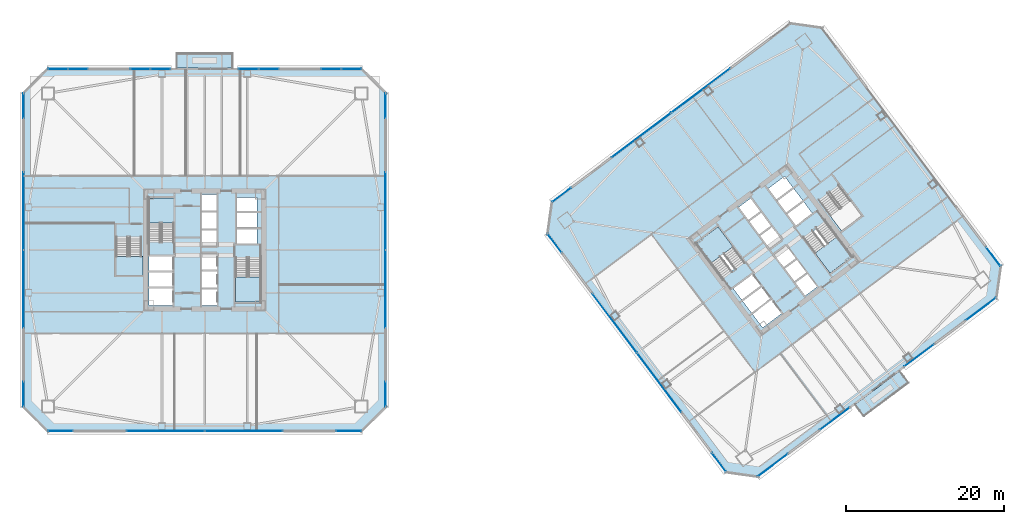
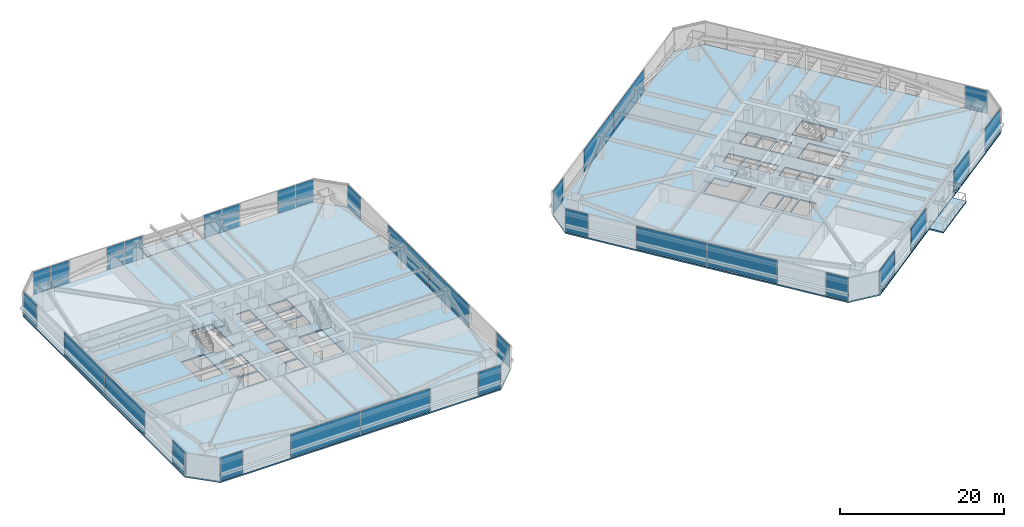
# One storey, part 37 of 51: 32 plates, 9 slabs, 28 elements without a shape of their own.
"""IFC4 building model written with IfcOpenShell, lengths in metres."""

import ifcopenshell
import ifcopenshell.guid

model = None  # the IFC model being written
_history = None  # IfcOwnerHistory: only IFC2X3 demands one
_inside = {}  # id of a spatial element -> (the spatial element, [elements in it])
_under = {}  # id of a project, library or spatial element -> (it, [spatial elements below it])
_declared = {}  # id of a project -> (the project, [libraries it declares])
_typed = {}  # id of a type object -> (the type object, [elements of that type])
_made_of = {}  # id of a material, layer set ... -> (it, [elements and type objects made of it])


def new_model(schema):
    """Start an empty IFC model of exactly this schema.

    Asked for "IFC4X3", IfcOpenShell would pick the latest addendum, in which some entities
    have other attributes; the version numbers below select the first issue.
    IFC2X3 requires an IfcOwnerHistory on every rooted entity: one is made here for all.
    """
    global model, _history
    if schema == "IFC4X3":
        model = ifcopenshell.file(schema_version=(4, 3, 0, 0))
    else:
        model = ifcopenshell.file(schema=schema)
    _inside.clear()
    _under.clear()
    _declared.clear()
    _typed.clear()
    _made_of.clear()
    _history = None
    if model.schema == "IFC2X3":
        org = make("IfcOrganization", Name="unknown")
        user = make(
            "IfcPersonAndOrganization",
            ThePerson=make("IfcPerson", FamilyName="unknown"),
            TheOrganization=org,
        )
        app = make(
            "IfcApplication",
            ApplicationDeveloper=org,
            Version="unknown",
            ApplicationFullName="unknown",
            ApplicationIdentifier="unknown",
        )
        _history = make(
            "IfcOwnerHistory",
            OwningUser=user,
            OwningApplication=app,
            ChangeAction="ADDED",
            CreationDate=0,
        )
    return model


def make(cls, **values):
    """One entity of the class cls with the attributes given. An attribute that is None is left unset."""
    return model.create_entity(
        cls, **{name: value for name, value in values.items() if value is not None}
    )


def rooted(cls, **values):
    """An entity with a GlobalId (a new one), such as an element, a storey or a relation."""
    return make(cls, GlobalId=ifcopenshell.guid.new(), OwnerHistory=_history, **values)


def si_unit(unit_type, name, prefix=None):
    """IfcSIUnit, for example si_unit("LENGTHUNIT", "METRE", prefix="MILLI")."""
    return make("IfcSIUnit", UnitType=unit_type, Prefix=prefix, Name=name)


def assignment(units):
    """IfcUnitAssignment: the units of a project."""
    return None if units is None else make("IfcUnitAssignment", Units=units)


def point(xyz):
    """IfcCartesianPoint."""
    return None if xyz is None else make("IfcCartesianPoint", Coordinates=xyz)


def direction(xyz):
    """IfcDirection."""
    return None if xyz is None else make("IfcDirection", DirectionRatios=xyz)


def frame(location, z_axis=None, x_axis=None):
    """IfcAxis2Placement3D, a coordinate frame: its origin and axes. An axis left out is left unset."""
    return make(
        "IfcAxis2Placement3D",
        Location=point(location),
        Axis=direction(z_axis),
        RefDirection=direction(x_axis),
    )


def frame_2d(location, x_axis=None):
    """IfcAxis2Placement2D, a coordinate frame in the plane: its origin and x axis."""
    return make(
        "IfcAxis2Placement2D", Location=point(location), RefDirection=direction(x_axis)
    )


def origin():
    """The frame at (0, 0, 0) with its axes left unset."""
    return frame((0.0, 0.0, 0.0))


def origin_2d():
    """The frame at (0, 0) in the plane with its x axis left unset."""
    return frame_2d((0.0, 0.0))


def place(relative_to, where):
    """IfcLocalPlacement: puts the frame where relative to a parent placement (None: the world)."""
    return make(
        "IfcLocalPlacement", PlacementRelTo=relative_to, RelativePlacement=where
    )


def context(
    kind, dimensions, precision=None, world=None, true_north=None, identifier=None
):
    """IfcGeometricRepresentationContext, for example the 3D "Model" context."""
    return make(
        "IfcGeometricRepresentationContext",
        ContextIdentifier=identifier,
        ContextType=kind,
        CoordinateSpaceDimension=dimensions,
        Precision=precision,
        WorldCoordinateSystem=world,
        TrueNorth=true_north,
    )


def subcontext(parent, identifier, kind, view, scale=None):
    """IfcGeometricRepresentationSubContext, for example "Body" below "Model"."""
    return make(
        "IfcGeometricRepresentationSubContext",
        ContextIdentifier=identifier,
        ContextType=kind,
        ParentContext=parent,
        TargetScale=scale,
        TargetView=view,
    )


def project(units=None, contexts=None):
    """IfcProject with its units and contexts."""
    return rooted(
        "IfcProject",
        Name="project",
        RepresentationContexts=contexts,
        UnitsInContext=assignment(units),
    )


def spatial(cls, under=None, at=None, **own):
    """A site, building, storey or space (cls), placed at a placement, below another one or the project."""
    s = rooted(cls, ObjectPlacement=at, **own)
    if under is not None:
        _under.setdefault(under.id(), (under, []))[1].append(s)
    return s


def polyline(points):
    """IfcPolyline through the points."""
    return make("IfcPolyline", Points=[point(p) for p in points])


def profile(cls, at=None, kind="AREA", **sizes):
    """A parametric profile (cls). Its sizes go by their IFC names, for example OverallWidth=200.0."""
    return make(cls, ProfileType=kind, Position=at, **sizes)


def rectangle(**sizes):
    """IfcRectangleProfileDef."""
    return profile("IfcRectangleProfileDef", **sizes)


def outline(outer, holes=None, kind="AREA"):
    """IfcArbitraryClosedProfileDef: a profile drawn as a closed curve; with holes, ...WithVoids."""
    if holes is None:
        return make("IfcArbitraryClosedProfileDef", ProfileType=kind, OuterCurve=outer)
    return make(
        "IfcArbitraryProfileDefWithVoids",
        ProfileType=kind,
        OuterCurve=outer,
        InnerCurves=holes,
    )


def extrude(swept, where, along, depth):
    """IfcExtrudedAreaSolid: the profile swept, set in the frame where, extruded along a direction by depth."""
    return make(
        "IfcExtrudedAreaSolid",
        SweptArea=swept,
        Position=where,
        ExtrudedDirection=direction(along),
        Depth=depth,
    )


def shape(context_of_items, identifier, shape_type, items):
    """IfcShapeRepresentation: the items that make up one representation, for example the "Body"."""
    return make(
        "IfcShapeRepresentation",
        ContextOfItems=context_of_items,
        RepresentationIdentifier=identifier,
        RepresentationType=shape_type,
        Items=items,
    )


def material(Name=None, Category=None):
    """IfcMaterial."""
    return make("IfcMaterial", Name=Name, Category=Category)


def layer(
    of_material, thickness, ventilated=None, Name=None, Category=None, Priority=None
):
    """IfcMaterialLayer: one layer of a wall or slab, of a material (None: an air gap)."""
    return make(
        "IfcMaterialLayer",
        Material=of_material,
        LayerThickness=thickness,
        IsVentilated=ventilated,
        Name=Name,
        Category=Category,
        Priority=Priority,
    )


def layer_set(layers, Name=None):
    """IfcMaterialLayerSet."""
    return make("IfcMaterialLayerSet", MaterialLayers=layers, LayerSetName=Name)


def made_of(thing, what):
    """Note that an element or type object is made of a material, layer set ...; save() writes the relation."""
    if what is not None:
        _made_of.setdefault(what.id(), (what, []))[1].append(thing)
    return thing


def type_object(cls, material=None, **own):
    """A type object (cls), such as IfcWallType, which elements share."""
    return made_of(rooted(cls, **own), material)


def element(
    cls,
    number,
    at=None,
    inside=None,
    cuts=None,
    type_object=None,
    material=None,
    context=None,
    identifier="Body",
    shape_type=None,
    held_by="IfcProductDefinitionShape",
    body=None,
    shapes=None,
    **own,
):
    """One element of the class cls, such as IfcWall. Its Tag is "e" and its number.

    at: its placement. inside: the storey or other place that contains it. cuts: it is an
    opening in that element (IfcRelVoidsElement). A single representation is given by context,
    identifier, shape_type and body (its items); several are given by shapes. held_by: the class
    of the entity that holds the representations. save() writes the other relations.
    """
    e = rooted(cls, Tag="e%d" % number, ObjectPlacement=at, **own)
    if body is not None:
        shapes = [shape(context, identifier, shape_type, body)]
    if shapes is not None:
        e.Representation = make(held_by, Representations=shapes)
    if inside is not None:
        _inside.setdefault(inside.id(), (inside, []))[1].append(e)
    if cuts is not None:
        rooted(
            "IfcRelVoidsElement", RelatingBuildingElement=cuts, RelatedOpeningElement=e
        )
    if type_object is not None:
        _typed.setdefault(type_object.id(), (type_object, []))[1].append(e)
    return made_of(e, material)


def aggregate(whole, parts):
    """IfcRelAggregates: a whole, such as a stair, and the parts it consists of."""
    return rooted("IfcRelAggregates", RelatingObject=whole, RelatedObjects=parts)


def save(model, path):
    """Write the relations noted so far, then the file.

    IfcRelAggregates (storeys below a building ...), IfcRelContainedInSpatialStructure (elements
    in a storey), IfcRelDefinesByType, IfcRelAssociatesMaterial and IfcRelDeclares: one each for
    every whole, place, type object, material and project.
    """
    for whole, parts in _under.values():
        aggregate(whole, parts)
    for where, things in _inside.values():
        rooted(
            "IfcRelContainedInSpatialStructure",
            RelatedElements=things,
            RelatingStructure=where,
        )
    for kind, things in _typed.values():
        rooted("IfcRelDefinesByType", RelatedObjects=things, RelatingType=kind)
    for what, things in _made_of.values():
        rooted("IfcRelAssociatesMaterial", RelatedObjects=things, RelatingMaterial=what)
    for by, libraries in _declared.values():
        rooted("IfcRelDeclares", RelatingContext=by, RelatedDefinitions=libraries)
    model.write(path)


model = new_model("IFC4")

# Units and contexts
model_context = context("Model", 3, precision=1e-05, world=origin(), true_north=direction((0.0, 1.0)))
body_context = subcontext(model_context, "Body", "Model", "MODEL_VIEW")
ifc_project = project(units=[si_unit("LENGTHUNIT", "METRE"), si_unit("AREAUNIT", "SQUARE_METRE"), si_unit("VOLUMEUNIT", "CUBIC_METRE"), si_unit("PLANEANGLEUNIT", "RADIAN"), si_unit("MASSUNIT", "GRAM", prefix="KILO")], contexts=[model_context])

# Site, building, storey
site_placement = place(None, origin())
site = spatial("IfcSite", under=ifc_project, at=site_placement, CompositionType="ELEMENT")
building_placement = place(site_placement, origin())
building = spatial("IfcBuilding", under=site, at=building_placement, Name="Tashvorn Skyway Center", CompositionType="ELEMENT")
storey_placement = place(building_placement, frame((0.0, 0.0, 49.449951171875)))
storey = spatial("IfcBuildingStorey", under=building, at=storey_placement, Name="L12", CompositionType="ELEMENT", Elevation=49.449951171875)

# Curtain wall, plate
ifc_material_1 = material(Name="Thermally broken bronze-anodized aluminium 6063-T6", Category="aluminium")
curtain_wall_type = type_object("IfcCurtainWallType", Name="CW-CW-Z1", PredefinedType="NOTDEFINED", material=ifc_material_1)
curtain_wall_1_placement = place(storey_placement, origin())
curtain_wall_1 = element("IfcCurtainWall", 1, at=curtain_wall_1_placement, inside=storey, type_object=curtain_wall_type, Name="Tower 1 L12 South Unitised Curtain Wall Glazing Group 1", PredefinedType="NOTDEFINED")
ifc_material_2 = material(Name="Low-E solar-control double insulating safety glass", Category="glass")
ifc_layer_1 = layer(ifc_material_2, 0.048095703125)
ifc_layer_set_1 = layer_set([ifc_layer_1], Name="Low-E solar-control double insulating safety glass")
plate_type = type_object("IfcPlateType", Name="CWP-CW-Z1", PredefinedType="CURTAIN_PANEL", material=ifc_layer_set_1)
plate_1_placement = place(storey_placement, frame((60.223388671875, 9.1201171875, 0.085205078125), z_axis=(0.0, 0.0, 1.0), x_axis=(-1.0, 0.0, 0.0)))
plate_1 = element("IfcPlate", 2, at=plate_1_placement, type_object=plate_type, Name="CW-Z1 panel 1.1", PredefinedType="CURTAIN_PANEL", context=body_context, shape_type="SweptSolid", body=[
    extrude(rectangle(XDim=3.143310546875, YDim=0.048095703125, at=origin_2d()), origin(), (0.0, 0.0, 1.0), 3.3798828125),
])
aggregate(curtain_wall_1, [plate_1])

# Curtain wall, plates
curtain_wall_2_placement = place(storey_placement, origin())
curtain_wall_2 = element("IfcCurtainWall", 3, at=curtain_wall_2_placement, inside=storey, type_object=curtain_wall_type, Name="Tower 1 L12 South Unitised Curtain Wall Glazing Group 2", PredefinedType="NOTDEFINED")
plate_2_placement = place(storey_placement, frame((46.94873046875, 9.1201171875, 0.085205078125), z_axis=(0.0, 0.0, 1.0), x_axis=(-1.0, 0.0, 0.0)))
plate_2 = element("IfcPlate", 4, at=plate_2_placement, type_object=plate_type, Name="CW-Z1 panel 1.1", PredefinedType="CURTAIN_PANEL", context=body_context, shape_type="SweptSolid", body=[
    extrude(rectangle(XDim=9.8125, YDim=0.048095703125, at=origin_2d()), origin(), (0.0, 0.0, 1.0), 3.3798828125),
])
plate_3_placement = place(storey_placement, frame((37.05126953125, 9.1201171875, 0.085205078125), z_axis=(0.0, 0.0, 1.0), x_axis=(-1.0, 0.0, 0.0)))
plate_3 = element("IfcPlate", 5, at=plate_3_placement, type_object=plate_type, Name="CW-Z1 panel 2.1", PredefinedType="CURTAIN_PANEL", context=body_context, shape_type="SweptSolid", body=[
    extrude(rectangle(XDim=9.8125, YDim=0.048095703125, at=origin_2d()), origin(), (0.0, 0.0, 1.0), 3.3798828125),
])
aggregate(curtain_wall_2, [plate_2, plate_3])

# Curtain wall, plate
curtain_wall_3_placement = place(storey_placement, origin())
curtain_wall_3 = element("IfcCurtainWall", 6, at=curtain_wall_3_placement, inside=storey, type_object=curtain_wall_type, Name="Tower 1 L12 South Unitised Curtain Wall Glazing Group 3", PredefinedType="NOTDEFINED")
plate_4_placement = place(storey_placement, frame((23.776611328125, 9.1201171875, 0.085205078125), z_axis=(0.0, 0.0, 1.0), x_axis=(-1.0, 0.0, 0.0)))
plate_4 = element("IfcPlate", 7, at=plate_4_placement, type_object=plate_type, Name="CW-Z1 panel 1.1", PredefinedType="CURTAIN_PANEL", context=body_context, shape_type="SweptSolid", body=[
    extrude(rectangle(XDim=3.143310546875, YDim=0.048095703125, at=origin_2d()), origin(), (0.0, 0.0, 1.0), 3.3798828125),
])
aggregate(curtain_wall_3, [plate_4])

curtain_wall_4_placement = place(storey_placement, origin())
curtain_wall_4 = element("IfcCurtainWall", 8, at=curtain_wall_4_placement, inside=storey, type_object=curtain_wall_type, Name="Tower 1 L12 West Unitised Curtain Wall Glazing Group 1", PredefinedType="NOTDEFINED")
plate_5_placement = place(storey_placement, frame((19.1201171875, 13.776611328125, 0.085205078125), z_axis=(0.0, 0.0, 1.0), x_axis=(0.0, 1.0, 0.0)))
plate_5 = element("IfcPlate", 9, at=plate_5_placement, type_object=plate_type, Name="CW-Z1 panel 1.1", PredefinedType="CURTAIN_PANEL", context=body_context, shape_type="SweptSolid", body=[
    extrude(rectangle(XDim=3.143310546875, YDim=0.048095703125, at=origin_2d()), origin(), (0.0, 0.0, 1.0), 3.3798828125),
])
aggregate(curtain_wall_4, [plate_5])

# Curtain wall, plates
curtain_wall_5_placement = place(storey_placement, origin())
curtain_wall_5 = element("IfcCurtainWall", 10, at=curtain_wall_5_placement, inside=storey, type_object=curtain_wall_type, Name="Tower 1 L12 West Unitised Curtain Wall Glazing Group 2", PredefinedType="NOTDEFINED")
plate_6_placement = place(storey_placement, frame((19.1201171875, 27.05126953125, 0.085205078125), z_axis=(0.0, 0.0, 1.0), x_axis=(0.0, 1.0, 0.0)))
plate_6 = element("IfcPlate", 11, at=plate_6_placement, type_object=plate_type, Name="CW-Z1 panel 1.1", PredefinedType="CURTAIN_PANEL", context=body_context, shape_type="SweptSolid", body=[
    extrude(rectangle(XDim=9.8125, YDim=0.048095703125, at=origin_2d()), origin(), (0.0, 0.0, 1.0), 3.3798828125),
])
plate_7_placement = place(storey_placement, frame((19.1201171875, 36.94873046875, 0.085205078125), z_axis=(0.0, 0.0, 1.0), x_axis=(0.0, 1.0, 0.0)))
plate_7 = element("IfcPlate", 12, at=plate_7_placement, type_object=plate_type, Name="CW-Z1 panel 2.1", PredefinedType="CURTAIN_PANEL", context=body_context, shape_type="SweptSolid", body=[
    extrude(rectangle(XDim=9.8125, YDim=0.048095703125, at=origin_2d()), origin(), (0.0, 0.0, 1.0), 3.3798828125),
])
aggregate(curtain_wall_5, [plate_6, plate_7])

# Curtain wall, plate
curtain_wall_6_placement = place(storey_placement, origin())
curtain_wall_6 = element("IfcCurtainWall", 13, at=curtain_wall_6_placement, inside=storey, type_object=curtain_wall_type, Name="Tower 1 L12 West Unitised Curtain Wall Glazing Group 3", PredefinedType="NOTDEFINED")
plate_8_placement = place(storey_placement, frame((19.1201171875, 50.223388671875, 0.085205078125), z_axis=(0.0, 0.0, 1.0), x_axis=(0.0, 1.0, 0.0)))
plate_8 = element("IfcPlate", 14, at=plate_8_placement, type_object=plate_type, Name="CW-Z1 panel 1.1", PredefinedType="CURTAIN_PANEL", context=body_context, shape_type="SweptSolid", body=[
    extrude(rectangle(XDim=3.143310546875, YDim=0.048095703125, at=origin_2d()), origin(), (0.0, 0.0, 1.0), 3.3798828125),
])
aggregate(curtain_wall_6, [plate_8])

# Curtain wall, plates
curtain_wall_7_placement = place(storey_placement, origin())
curtain_wall_7 = element("IfcCurtainWall", 15, at=curtain_wall_7_placement, inside=storey, type_object=curtain_wall_type, Name="Tower 1 L12 North Curtain Wall L Glazing Group 1", PredefinedType="NOTDEFINED")
plate_9_placement = place(storey_placement, frame((23.44384765625, 54.8798828125, 0.085205078125), z_axis=(0.0, 0.0, 1.0), x_axis=(1.0, 0.0, 0.0)))
plate_9 = element("IfcPlate", 16, at=plate_9_placement, type_object=plate_type, Name="CW-Z1 panel 1.1", PredefinedType="CURTAIN_PANEL", context=body_context, shape_type="SweptSolid", body=[
    extrude(rectangle(XDim=2.4775390625, YDim=0.048095703125, at=origin_2d()), origin(), (0.0, 0.0, 1.0), 3.3798828125),
])
plate_10_placement = place(storey_placement, frame((26.00634765625, 54.8798828125, 0.085205078125), z_axis=(0.0, 0.0, 1.0), x_axis=(1.0, 0.0, 0.0)))
plate_10 = element("IfcPlate", 17, at=plate_10_placement, type_object=plate_type, Name="CW-Z1 panel 2.1", PredefinedType="CURTAIN_PANEL", context=body_context, shape_type="SweptSolid", body=[
    extrude(rectangle(XDim=2.4775390625, YDim=0.048095703125, at=origin_2d()), origin(), (0.0, 0.0, 1.0), 3.3798828125),
])
aggregate(curtain_wall_7, [plate_9, plate_10])

curtain_wall_8_placement = place(storey_placement, origin())
curtain_wall_8 = element("IfcCurtainWall", 18, at=curtain_wall_8_placement, inside=storey, type_object=curtain_wall_type, Name="Tower 1 L12 North Curtain Wall L Glazing Group 2", PredefinedType="NOTDEFINED")
plate_11_placement = place(storey_placement, frame((33.86376953125, 54.8798828125, 0.085205078125), z_axis=(0.0, 0.0, 1.0), x_axis=(1.0, 0.0, 0.0)))
plate_11 = element("IfcPlate", 19, at=plate_11_placement, type_object=plate_type, Name="CW-Z1 panel 1.1", PredefinedType="CURTAIN_PANEL", context=body_context, shape_type="SweptSolid", body=[
    extrude(rectangle(XDim=2.4775390625, YDim=0.048095703125, at=origin_2d()), origin(), (0.0, 0.0, 1.0), 3.3798828125),
])
plate_12_placement = place(storey_placement, frame((36.42626953125, 54.8798828125, 0.085205078125), z_axis=(0.0, 0.0, 1.0), x_axis=(1.0, 0.0, 0.0)))
plate_12 = element("IfcPlate", 20, at=plate_12_placement, type_object=plate_type, Name="CW-Z1 panel 2.1", PredefinedType="CURTAIN_PANEL", context=body_context, shape_type="SweptSolid", body=[
    extrude(rectangle(XDim=2.4775390625, YDim=0.048095703125, at=origin_2d()), origin(), (0.0, 0.0, 1.0), 3.3798828125),
])
aggregate(curtain_wall_8, [plate_11, plate_12])

curtain_wall_9_placement = place(storey_placement, origin())
curtain_wall_9 = element("IfcCurtainWall", 21, at=curtain_wall_9_placement, inside=storey, type_object=curtain_wall_type, Name="Tower 1 L12 North Curtain Wall R Glazing Group 1", PredefinedType="NOTDEFINED")
plate_13_placement = place(storey_placement, frame((47.57373046875, 54.8798828125, 0.085205078125), z_axis=(0.0, 0.0, 1.0), x_axis=(1.0, 0.0, 0.0)))
plate_13 = element("IfcPlate", 22, at=plate_13_placement, type_object=plate_type, Name="CW-Z1 panel 1.1", PredefinedType="CURTAIN_PANEL", context=body_context, shape_type="SweptSolid", body=[
    extrude(rectangle(XDim=2.4775390625, YDim=0.048095703125, at=origin_2d()), origin(), (0.0, 0.0, 1.0), 3.3798828125),
])
plate_14_placement = place(storey_placement, frame((50.13623046875, 54.8798828125, 0.085205078125), z_axis=(0.0, 0.0, 1.0), x_axis=(1.0, 0.0, 0.0)))
plate_14 = element("IfcPlate", 23, at=plate_14_placement, type_object=plate_type, Name="CW-Z1 panel 2.1", PredefinedType="CURTAIN_PANEL", context=body_context, shape_type="SweptSolid", body=[
    extrude(rectangle(XDim=2.4775390625, YDim=0.048095703125, at=origin_2d()), origin(), (0.0, 0.0, 1.0), 3.3798828125),
])
aggregate(curtain_wall_9, [plate_13, plate_14])

curtain_wall_10_placement = place(storey_placement, origin())
curtain_wall_10 = element("IfcCurtainWall", 24, at=curtain_wall_10_placement, inside=storey, type_object=curtain_wall_type, Name="Tower 1 L12 North Curtain Wall R Glazing Group 2", PredefinedType="NOTDEFINED")
plate_15_placement = place(storey_placement, frame((57.99365234375, 54.8798828125, 0.085205078125), z_axis=(0.0, 0.0, 1.0), x_axis=(1.0, 0.0, 0.0)))
plate_15 = element("IfcPlate", 25, at=plate_15_placement, type_object=plate_type, Name="CW-Z1 panel 1.1", PredefinedType="CURTAIN_PANEL", context=body_context, shape_type="SweptSolid", body=[
    extrude(rectangle(XDim=2.4775390625, YDim=0.048095703125, at=origin_2d()), origin(), (0.0, 0.0, 1.0), 3.3798828125),
])
plate_16_placement = place(storey_placement, frame((60.55615234375, 54.8798828125, 0.085205078125), z_axis=(0.0, 0.0, 1.0), x_axis=(1.0, 0.0, 0.0)))
plate_16 = element("IfcPlate", 26, at=plate_16_placement, type_object=plate_type, Name="CW-Z1 panel 2.1", PredefinedType="CURTAIN_PANEL", context=body_context, shape_type="SweptSolid", body=[
    extrude(rectangle(XDim=2.4775390625, YDim=0.048095703125, at=origin_2d()), origin(), (0.0, 0.0, 1.0), 3.3798828125),
])
aggregate(curtain_wall_10, [plate_15, plate_16])

# Curtain wall, plate
curtain_wall_11_placement = place(storey_placement, origin())
curtain_wall_11 = element("IfcCurtainWall", 27, at=curtain_wall_11_placement, inside=storey, type_object=curtain_wall_type, Name="Tower 1 L12 East Unitised Curtain Wall Glazing Group 1", PredefinedType="NOTDEFINED")
plate_17_placement = place(storey_placement, frame((64.8798828125, 50.223388671875, 0.085205078125), z_axis=(0.0, 0.0, 1.0), x_axis=(0.0, -1.0, 0.0)))
plate_17 = element("IfcPlate", 28, at=plate_17_placement, type_object=plate_type, Name="CW-Z1 panel 1.1", PredefinedType="CURTAIN_PANEL", context=body_context, shape_type="SweptSolid", body=[
    extrude(rectangle(XDim=3.143310546875, YDim=0.048095703125, at=origin_2d()), origin(), (0.0, 0.0, 1.0), 3.3798828125),
])
aggregate(curtain_wall_11, [plate_17])

# Curtain wall, plates
curtain_wall_12_placement = place(storey_placement, origin())
curtain_wall_12 = element("IfcCurtainWall", 29, at=curtain_wall_12_placement, inside=storey, type_object=curtain_wall_type, Name="Tower 1 L12 East Unitised Curtain Wall Glazing Group 2", PredefinedType="NOTDEFINED")
plate_18_placement = place(storey_placement, frame((64.8798828125, 36.94873046875, 0.085205078125), z_axis=(0.0, 0.0, 1.0), x_axis=(0.0, -1.0, 0.0)))
plate_18 = element("IfcPlate", 30, at=plate_18_placement, type_object=plate_type, Name="CW-Z1 panel 1.1", PredefinedType="CURTAIN_PANEL", context=body_context, shape_type="SweptSolid", body=[
    extrude(rectangle(XDim=9.8125, YDim=0.048095703125, at=origin_2d()), origin(), (0.0, 0.0, 1.0), 3.3798828125),
])
plate_19_placement = place(storey_placement, frame((64.8798828125, 27.05126953125, 0.085205078125), z_axis=(0.0, 0.0, 1.0), x_axis=(0.0, -1.0, 0.0)))
plate_19 = element("IfcPlate", 31, at=plate_19_placement, type_object=plate_type, Name="CW-Z1 panel 2.1", PredefinedType="CURTAIN_PANEL", context=body_context, shape_type="SweptSolid", body=[
    extrude(rectangle(XDim=9.8125, YDim=0.048095703125, at=origin_2d()), origin(), (0.0, 0.0, 1.0), 3.3798828125),
])
aggregate(curtain_wall_12, [plate_18, plate_19])

# Curtain wall, plate
curtain_wall_13_placement = place(storey_placement, origin())
curtain_wall_13 = element("IfcCurtainWall", 32, at=curtain_wall_13_placement, inside=storey, type_object=curtain_wall_type, Name="Tower 1 L12 East Unitised Curtain Wall Glazing Group 3", PredefinedType="NOTDEFINED")
plate_20_placement = place(storey_placement, frame((64.8798828125, 13.776611328125, 0.085205078125), z_axis=(0.0, 0.0, 1.0), x_axis=(0.0, -1.0, 0.0)))
plate_20 = element("IfcPlate", 33, at=plate_20_placement, type_object=plate_type, Name="CW-Z1 panel 1.1", PredefinedType="CURTAIN_PANEL", context=body_context, shape_type="SweptSolid", body=[
    extrude(rectangle(XDim=3.143310546875, YDim=0.048095703125, at=origin_2d()), origin(), (0.0, 0.0, 1.0), 3.3798828125),
])
aggregate(curtain_wall_13, [plate_20])

curtain_wall_14_placement = place(storey_placement, origin())
curtain_wall_14 = element("IfcCurtainWall", 34, at=curtain_wall_14_placement, inside=storey, type_object=curtain_wall_type, Name="Tower 2 L12 South Curtain Wall L Glazing Group 1", PredefinedType="NOTDEFINED")
plate_21_placement = place(storey_placement, frame((140.161376953125, 24.52099609375, 0.085205078125), z_axis=(0.0, 0.0, 1.0), x_axis=(-0.799997539287, -0.600003280937, 0.0)))
plate_21 = element("IfcPlate", 35, at=plate_21_placement, type_object=plate_type, Name="CW-Z1 panel 1.1", PredefinedType="CURTAIN_PANEL", context=body_context, shape_type="SweptSolid", body=[
    extrude(rectangle(XDim=4.70654296875, YDim=0.048095703125, at=origin_2d()), origin(), (0.0, 0.0, 1.0), 3.3798828125),
])
aggregate(curtain_wall_14, [plate_21])

curtain_wall_15_placement = place(storey_placement, origin())
curtain_wall_15 = element("IfcCurtainWall", 36, at=curtain_wall_15_placement, inside=storey, type_object=curtain_wall_type, Name="Tower 2 L12 South Curtain Wall L Glazing Group 2", PredefinedType="NOTDEFINED")
plate_22_placement = place(storey_placement, frame((132.358642578125, 18.6689453125, 0.085205078125), z_axis=(0.0, 0.0, 1.0), x_axis=(-0.799997539287, -0.600003280937, 0.0)))
plate_22 = element("IfcPlate", 37, at=plate_22_placement, type_object=plate_type, Name="CW-Z1 panel 1.1", PredefinedType="CURTAIN_PANEL", context=body_context, shape_type="SweptSolid", body=[
    extrude(rectangle(XDim=4.70654296875, YDim=0.048095703125, at=origin_2d()), origin(), (0.0, 0.0, 1.0), 3.3798828125),
])
aggregate(curtain_wall_15, [plate_22])

curtain_wall_16_placement = place(storey_placement, origin())
curtain_wall_16 = element("IfcCurtainWall", 38, at=curtain_wall_16_placement, inside=storey, type_object=curtain_wall_type, Name="Tower 2 L12 South Curtain Wall R Glazing Group 1", PredefinedType="NOTDEFINED")
plate_23_placement = place(storey_placement, frame((121.657470703125, 10.64306640625, 0.085205078125), z_axis=(0.0, 0.0, 1.0), x_axis=(-0.799997539287, -0.600003280937, 0.0)))
plate_23 = element("IfcPlate", 39, at=plate_23_placement, type_object=plate_type, Name="CW-Z1 panel 1.1", PredefinedType="CURTAIN_PANEL", context=body_context, shape_type="SweptSolid", body=[
    extrude(rectangle(XDim=4.70654296875, YDim=0.048095703125, at=origin_2d()), origin(), (0.0, 0.0, 1.0), 3.3798828125),
])
aggregate(curtain_wall_16, [plate_23])

curtain_wall_17_placement = place(storey_placement, origin())
curtain_wall_17 = element("IfcCurtainWall", 40, at=curtain_wall_17_placement, inside=storey, type_object=curtain_wall_type, Name="Tower 2 L12 South Curtain Wall R Glazing Group 2", PredefinedType="NOTDEFINED")
plate_24_placement = place(storey_placement, frame((113.854736328125, 4.791015625, 0.085205078125), z_axis=(0.0, 0.0, 1.0), x_axis=(-0.799997539287, -0.600003280937, 0.0)))
plate_24 = element("IfcPlate", 41, at=plate_24_placement, type_object=plate_type, Name="CW-Z1 panel 1.1", PredefinedType="CURTAIN_PANEL", context=body_context, shape_type="SweptSolid", body=[
    extrude(rectangle(XDim=4.70654296875, YDim=0.048095703125, at=origin_2d()), origin(), (0.0, 0.0, 1.0), 3.3798828125),
])
aggregate(curtain_wall_17, [plate_24])

curtain_wall_18_placement = place(storey_placement, origin())
curtain_wall_18 = element("IfcCurtainWall", 42, at=curtain_wall_18_placement, inside=storey, type_object=curtain_wall_type, Name="Tower 2 L12 West Unitised Curtain Wall Glazing Group 1", PredefinedType="NOTDEFINED")
plate_25_placement = place(storey_placement, frame((107.0400390625, 5.146728515625, 0.085205078125), z_axis=(0.0, 0.0, 1.0), x_axis=(-0.600005084776, 0.799996186392, 0.0)))
plate_25 = element("IfcPlate", 43, at=plate_25_placement, type_object=plate_type, Name="CW-Z1 panel 1.1", PredefinedType="CURTAIN_PANEL", context=body_context, shape_type="SweptSolid", body=[
    extrude(rectangle(XDim=2.9765625, YDim=0.048095703125, at=origin_2d()), origin(), (0.0, 0.0, 1.0), 3.3798828125),
])
aggregate(curtain_wall_18, [plate_25])

# Curtain wall, plates
curtain_wall_19_placement = place(storey_placement, origin())
curtain_wall_19 = element("IfcCurtainWall", 44, at=curtain_wall_19_placement, inside=storey, type_object=curtain_wall_type, Name="Tower 2 L12 West Unitised Curtain Wall Glazing Group 2", PredefinedType="NOTDEFINED")
plate_26_placement = place(storey_placement, frame((99.475341796875, 15.23291015625, 0.085205078125), z_axis=(0.0, 0.0, 1.0), x_axis=(-0.600000000002, 0.799999999998, 0.0)))
plate_26 = element("IfcPlate", 45, at=plate_26_placement, type_object=plate_type, Name="CW-Z1 panel 1.1", PredefinedType="CURTAIN_PANEL", context=body_context, shape_type="SweptSolid", body=[
    extrude(rectangle(XDim=9.3125, YDim=0.048095703125, at=origin_2d()), origin(), (0.0, 0.0, 1.0), 3.3798828125),
])
plate_27_placement = place(storey_placement, frame((93.836669921875, 22.7509765625, 0.085205078125), z_axis=(0.0, 0.0, 1.0), x_axis=(-0.600000000002, 0.799999999998, 0.0)))
plate_27 = element("IfcPlate", 46, at=plate_27_placement, type_object=plate_type, Name="CW-Z1 panel 2.1", PredefinedType="CURTAIN_PANEL", context=body_context, shape_type="SweptSolid", body=[
    extrude(rectangle(XDim=9.3125, YDim=0.048095703125, at=origin_2d()), origin(), (0.0, 0.0, 1.0), 3.3798828125),
])
aggregate(curtain_wall_19, [plate_26, plate_27])

# Curtain wall, plate
curtain_wall_20_placement = place(storey_placement, origin())
curtain_wall_20 = element("IfcCurtainWall", 47, at=curtain_wall_20_placement, inside=storey, type_object=curtain_wall_type, Name="Tower 2 L12 West Unitised Curtain Wall Glazing Group 3", PredefinedType="NOTDEFINED")
plate_28_placement = place(storey_placement, frame((86.27197265625, 32.83740234375, 0.085205078125), z_axis=(0.0, 0.0, 1.0), x_axis=(-0.600005084776, 0.799996186392, 0.0)))
plate_28 = element("IfcPlate", 48, at=plate_28_placement, type_object=plate_type, Name="CW-Z1 panel 1.1", PredefinedType="CURTAIN_PANEL", context=body_context, shape_type="SweptSolid", body=[
    extrude(rectangle(XDim=2.9765625, YDim=0.048095703125, at=origin_2d()), origin(), (0.0, 0.0, 1.0), 3.3798828125),
])
aggregate(curtain_wall_20, [plate_28])

curtain_wall_21_placement = place(storey_placement, origin())
curtain_wall_21 = element("IfcCurtainWall", 49, at=curtain_wall_21_placement, inside=storey, type_object=curtain_wall_type, Name="Tower 2 L12 North Unitised Curtain Wall Glazing Group 1", PredefinedType="NOTDEFINED")
plate_29_placement = place(storey_placement, frame((87.146728515625, 38.9599609375, 0.085205078125), z_axis=(0.0, 0.0, 1.0), x_axis=(0.799996186392, 0.600005084776, 0.0)))
plate_29 = element("IfcPlate", 50, at=plate_29_placement, type_object=plate_type, Name="CW-Z1 panel 1.1", PredefinedType="CURTAIN_PANEL", context=body_context, shape_type="SweptSolid", body=[
    extrude(rectangle(XDim=2.9765625, YDim=0.048095703125, at=origin_2d()), origin(), (0.0, 0.0, 1.0), 3.3798828125),
])
aggregate(curtain_wall_21, [plate_29])

# Curtain wall, plates
curtain_wall_22_placement = place(storey_placement, origin())
curtain_wall_22 = element("IfcCurtainWall", 51, at=curtain_wall_22_placement, inside=storey, type_object=curtain_wall_type, Name="Tower 2 L12 North Unitised Curtain Wall Glazing Group 2", PredefinedType="NOTDEFINED")
plate_30_placement = place(storey_placement, frame((97.23291015625, 46.524658203125, 0.085205078125), z_axis=(0.0, 0.0, 1.0), x_axis=(0.799999999998, 0.600000000002, 0.0)))
plate_30 = element("IfcPlate", 52, at=plate_30_placement, type_object=plate_type, Name="CW-Z1 panel 1.1", PredefinedType="CURTAIN_PANEL", context=body_context, shape_type="SweptSolid", body=[
    extrude(rectangle(XDim=9.3125, YDim=0.048095703125, at=origin_2d()), origin(), (0.0, 0.0, 1.0), 3.3798828125),
])
plate_31_placement = place(storey_placement, frame((104.7509765625, 52.163330078125, 0.085205078125), z_axis=(0.0, 0.0, 1.0), x_axis=(0.799999999998, 0.600000000002, 0.0)))
plate_31 = element("IfcPlate", 53, at=plate_31_placement, type_object=plate_type, Name="CW-Z1 panel 2.1", PredefinedType="CURTAIN_PANEL", context=body_context, shape_type="SweptSolid", body=[
    extrude(rectangle(XDim=9.3125, YDim=0.048095703125, at=origin_2d()), origin(), (0.0, 0.0, 1.0), 3.3798828125),
])
aggregate(curtain_wall_22, [plate_30, plate_31])

# Curtain wall, plate
curtain_wall_23_placement = place(storey_placement, origin())
curtain_wall_23 = element("IfcCurtainWall", 54, at=curtain_wall_23_placement, inside=storey, type_object=curtain_wall_type, Name="Tower 2 L12 East Unitised Curtain Wall Glazing Group 3", PredefinedType="NOTDEFINED")
plate_32_placement = place(storey_placement, frame((141.72802734375, 31.16259765625, 0.085205078125), z_axis=(0.0, 0.0, 1.0), x_axis=(0.600005084776, -0.799996186392, 0.0)))
plate_32 = element("IfcPlate", 55, at=plate_32_placement, type_object=plate_type, Name="CW-Z1 panel 1.1", PredefinedType="CURTAIN_PANEL", context=body_context, shape_type="SweptSolid", body=[
    extrude(rectangle(XDim=2.9765625, YDim=0.048095703125, at=origin_2d()), origin(), (0.0, 0.0, 1.0), 3.3798828125),
])
aggregate(curtain_wall_23, [plate_32])

# Slabs
ifc_material_3 = material(Name="Concrete C40/50", Category="concrete")
ifc_layer_2 = layer(ifc_material_3, 0.199951171875)
ifc_layer_set_2 = layer_set([ifc_layer_2], Name="Concrete C40/50")
slab_type_1 = type_object("IfcSlabType", Name="SLAB-FLR-200", PredefinedType="FLOOR", material=ifc_layer_set_2)
slab_1_placement = place(storey_placement, frame((0.0, 0.0, -0.199951171875)))
element("IfcSlab", 56, at=slab_1_placement, inside=storey, type_object=slab_type_1, Name="Tower 1 L12 Composite Floor Slab", PredefinedType="FLOOR", context=body_context, shape_type="SweptSolid", body=[
    extrude(outline(polyline([(22.199951171875, 9.0), (61.800048828125, 9.0), (65.0, 12.199951171875), (65.0, 51.800048828125), (61.800048828125, 55.0), (22.199951171875, 55.0), (19.0, 51.800048828125), (19.0, 12.199951171875), (22.199951171875, 9.0)]), holes=[polyline([(38.10009765625, 33.080078125), (38.10009765625, 38.60009765625), (34.89990234375, 38.60009765625), (34.89990234375, 33.080078125), (38.10009765625, 33.080078125)]), polyline([(45.89990234375, 30.919921875), (45.89990234375, 25.39990234375), (49.10009765625, 25.39990234375), (49.10009765625, 30.919921875), (45.89990234375, 30.919921875)]), polyline([(30.800048828125, 33.52001953125), (30.800048828125, 28.800048828125), (34.0, 28.800048828125), (34.0, 33.52001953125), (30.800048828125, 33.52001953125)]), polyline([(34.949951171875, 29.35009765625), (37.949951171875, 29.35009765625), (37.949951171875, 31.199951171875), (34.949951171875, 31.199951171875), (34.949951171875, 29.35009765625)]), polyline([(34.949951171875, 27.35009765625), (37.949951171875, 27.35009765625), (37.949951171875, 29.199951171875), (34.949951171875, 29.199951171875), (34.949951171875, 27.35009765625)]), polyline([(34.949951171875, 25.0), (37.949951171875, 25.0), (37.949951171875, 27.14990234375), (34.949951171875, 27.14990234375), (34.949951171875, 25.0)]), polyline([(41.64990234375, 25.0), (43.550048828125, 25.0), (43.550048828125, 27.050048828125), (41.64990234375, 27.050048828125), (41.64990234375, 25.0)]), polyline([(41.64990234375, 27.25), (43.550048828125, 27.25), (43.550048828125, 29.300048828125), (41.64990234375, 29.300048828125), (41.64990234375, 27.25)]), polyline([(41.64990234375, 29.5), (43.550048828125, 29.5), (43.550048828125, 31.550048828125), (41.64990234375, 31.550048828125), (41.64990234375, 29.5)]), polyline([(41.64990234375, 32.449951171875), (43.550048828125, 32.449951171875), (43.550048828125, 34.5), (41.64990234375, 34.5), (41.64990234375, 32.449951171875)]), polyline([(41.64990234375, 34.699951171875), (43.550048828125, 34.699951171875), (43.550048828125, 36.75), (41.64990234375, 36.75), (41.64990234375, 34.699951171875)]), polyline([(41.64990234375, 36.949951171875), (43.550048828125, 36.949951171875), (43.550048828125, 39.0), (41.64990234375, 39.0), (41.64990234375, 36.949951171875)]), polyline([(46.050048828125, 32.800048828125), (48.64990234375, 32.800048828125), (48.64990234375, 34.64990234375), (46.050048828125, 34.64990234375), (46.050048828125, 32.800048828125)]), polyline([(46.050048828125, 34.85009765625), (48.64990234375, 34.85009765625), (48.64990234375, 36.699951171875), (46.050048828125, 36.699951171875), (46.050048828125, 34.85009765625)]), polyline([(46.050048828125, 36.89990234375), (48.64990234375, 36.89990234375), (48.64990234375, 38.64990234375), (46.050048828125, 38.64990234375), (46.050048828125, 36.89990234375)])]), origin(), (0.0, 0.0, 1.0), 0.199951171875),
])
slab_2_placement = place(storey_placement, frame((0.0, 0.0, -0.199951171875)))
element("IfcSlab", 57, at=slab_2_placement, inside=storey, type_object=slab_type_1, Name="Tower 2 L12 Composite Floor Slab", PredefinedType="FLOOR", context=body_context, shape_type="SweptSolid", body=[
    extrude(outline(polyline([(112.0400390625, 3.280029296875), (142.1201171875, 25.840087890625), (142.719970703125, 30.0400390625), (120.159912109375, 60.1201171875), (115.9599609375, 60.719970703125), (85.8798828125, 38.159912109375), (85.280029296875, 33.9599609375), (107.840087890625, 3.8798828125), (112.0400390625, 3.280029296875)]), holes=[polyline([(110.23193359375, 30.52392578125), (106.919921875, 34.93994140625), (104.135986328125, 32.85205078125), (107.447998046875, 28.43603515625), (110.23193359375, 30.52392578125)]), polyline([(117.76806640625, 33.47607421875), (121.080078125, 29.06005859375), (123.864013671875, 31.14794921875), (120.552001953125, 35.56396484375), (117.76806640625, 33.47607421875)]), polyline([(119.7119140625, 38.18408203125), (122.5439453125, 34.407958984375), (125.10400390625, 36.327880859375), (122.27197265625, 40.10400390625), (119.7119140625, 38.18408203125)]), polyline([(109.949951171875, 25.64990234375), (112.35009765625, 27.449951171875), (111.239990234375, 28.929931640625), (108.840087890625, 27.1298828125), (109.949951171875, 25.64990234375)]), polyline([(111.14990234375, 24.050048828125), (113.550048828125, 25.85009765625), (112.43994140625, 27.330078125), (110.0400390625, 25.530029296875), (111.14990234375, 24.050048828125)]), polyline([(112.56005859375, 22.169921875), (114.9599609375, 23.969970703125), (113.669921875, 25.68994140625), (111.27001953125, 23.889892578125), (112.56005859375, 22.169921875)]), polyline([(117.919921875, 26.18994140625), (119.43994140625, 27.330078125), (118.2099609375, 28.969970703125), (116.68994140625, 27.830078125), (117.919921875, 26.18994140625)]), polyline([(116.570068359375, 27.989990234375), (118.090087890625, 29.1298828125), (116.860107421875, 30.77001953125), (115.340087890625, 29.6298828125), (116.570068359375, 27.989990234375)]), polyline([(115.219970703125, 29.7900390625), (116.739990234375, 30.929931640625), (115.510009765625, 32.570068359375), (113.989990234375, 31.429931640625), (115.219970703125, 29.7900390625)]), polyline([(113.449951171875, 32.14990234375), (114.969970703125, 33.2900390625), (113.739990234375, 34.929931640625), (112.219970703125, 33.7900390625), (113.449951171875, 32.14990234375)]), polyline([(112.10009765625, 33.949951171875), (113.6201171875, 35.090087890625), (112.389892578125, 36.72998046875), (110.8701171875, 35.590087890625), (112.10009765625, 33.949951171875)]), polyline([(110.75, 35.75), (112.27001953125, 36.889892578125), (111.0400390625, 38.530029296875), (109.52001953125, 37.389892578125), (110.75, 35.75)]), polyline([(116.760009765625, 35.070068359375), (118.840087890625, 36.6298828125), (117.72998046875, 38.110107421875), (115.64990234375, 36.550048828125), (116.760009765625, 35.070068359375)]), polyline([(115.530029296875, 36.7099609375), (117.610107421875, 38.27001953125), (116.5, 39.75), (114.419921875, 38.18994140625), (115.530029296875, 36.7099609375)]), polyline([(114.300048828125, 38.35009765625), (116.3798828125, 39.909912109375), (115.330078125, 41.31005859375), (113.25, 39.75), (114.300048828125, 38.35009765625)])]), origin(), (0.0, 0.0, 1.0), 0.199951171875),
])

# Stair, slab
stair_type = type_object("IfcStairType", Name="STAIR-CORE-1500", PredefinedType="HALF_TURN_STAIR", material=ifc_material_3)
stair_1_placement = place(storey_placement, origin())
stair_1 = element("IfcStair", 58, at=stair_1_placement, inside=storey, type_object=stair_type, Name="L12 Tower 1 Exit Stair 1", PredefinedType="HALF_TURN_STAIR")
ifc_layer_3 = layer(ifc_material_3, 0.199951171875)
ifc_layer_set_3 = layer_set([ifc_layer_3], Name="Concrete C40/50")
slab_type_2 = type_object("IfcSlabType", Name="SLAB-LAND-200", PredefinedType="LANDING", material=ifc_layer_set_3)
slab_3_placement = place(storey_placement, frame((0.0, 0.0, 1.574951171875)))
slab_3 = element("IfcSlab", 59, at=slab_3_placement, type_object=slab_type_2, Name="ST-T1-1 landing 1", PredefinedType="LANDING", context=body_context, shape_type="SweptSolid", body=[
    extrude(outline(polyline([(38.10009765625, 35.43994140625), (38.10009765625, 38.60009765625), (34.89990234375, 38.60009765625), (34.89990234375, 35.43994140625), (38.10009765625, 35.43994140625)])), origin(), (0.0, 0.0, 1.0), 0.2001953125),
])
aggregate(stair_1, [slab_3])

stair_2_placement = place(storey_placement, origin())
stair_2 = element("IfcStair", 60, at=stair_2_placement, inside=storey, type_object=stair_type, Name="L12 Tower 1 Exit Stair 2", PredefinedType="HALF_TURN_STAIR")
slab_4_placement = place(storey_placement, frame((0.0, 0.0, 1.574951171875)))
slab_4 = element("IfcSlab", 61, at=slab_4_placement, type_object=slab_type_2, Name="ST-T1-2 landing 1", PredefinedType="LANDING", context=body_context, shape_type="SweptSolid", body=[
    extrude(outline(polyline([(45.89990234375, 28.56005859375), (45.89990234375, 25.39990234375), (49.10009765625, 25.39990234375), (49.10009765625, 28.56005859375), (45.89990234375, 28.56005859375)])), origin(), (0.0, 0.0, 1.0), 0.2001953125),
])
aggregate(stair_2, [slab_4])

stair_3_placement = place(storey_placement, origin())
stair_3 = element("IfcStair", 62, at=stair_3_placement, inside=storey, type_object=stair_type, Name="L12 Tower 2 Exit Stair 1", PredefinedType="HALF_TURN_STAIR")
slab_5_placement = place(storey_placement, frame((0.0, 0.0, 1.574951171875)))
slab_5 = element("IfcSlab", 63, at=slab_5_placement, type_object=slab_type_2, Name="ST-T2-1 landing 1", PredefinedType="LANDING", context=body_context, shape_type="SweptSolid", body=[
    extrude(outline(polyline([(108.82080078125, 32.405517578125), (106.919921875, 34.93994140625), (104.135986328125, 32.85205078125), (106.036865234375, 30.317626953125), (108.82080078125, 32.405517578125)])), origin(), (0.0, 0.0, 1.0), 0.2001953125),
])
aggregate(stair_3, [slab_5])

stair_4_placement = place(storey_placement, origin())
stair_4 = element("IfcStair", 64, at=stair_4_placement, inside=storey, type_object=stair_type, Name="L12 Tower 2 Exit Stair 2", PredefinedType="HALF_TURN_STAIR")
slab_6_placement = place(storey_placement, frame((0.0, 0.0, 1.574951171875)))
slab_6 = element("IfcSlab", 65, at=slab_6_placement, type_object=slab_type_2, Name="ST-T2-2 landing 1", PredefinedType="LANDING", context=body_context, shape_type="SweptSolid", body=[
    extrude(outline(polyline([(119.17919921875, 31.594482421875), (121.080078125, 29.06005859375), (123.864013671875, 31.14794921875), (121.963134765625, 33.682373046875), (119.17919921875, 31.594482421875)])), origin(), (0.0, 0.0, 1.0), 0.2001953125),
])
aggregate(stair_4, [slab_6])

stair_5_placement = place(storey_placement, origin())
stair_5 = element("IfcStair", 66, at=stair_5_placement, inside=storey, type_object=stair_type, Name="L12 Tower 1 Exit Stair 3", PredefinedType="HALF_TURN_STAIR")
slab_7_placement = place(storey_placement, frame((0.0, 0.0, 1.574951171875)))
slab_7 = element("IfcSlab", 67, at=slab_7_placement, type_object=slab_type_2, Name="ST-T1-3 landing 1", PredefinedType="LANDING", context=body_context, shape_type="SweptSolid", body=[
    extrude(outline(polyline([(30.800048828125, 31.159912109375), (30.800048828125, 28.800048828125), (34.199951171875, 28.800048828125), (34.199951171875, 31.159912109375), (30.800048828125, 31.159912109375)])), origin(), (0.0, 0.0, 1.0), 0.2001953125),
])
aggregate(stair_5, [slab_7])

# Slabs
ifc_layer_4 = layer(ifc_material_3, 0.179931640625)
ifc_layer_set_4 = layer_set([ifc_layer_4], Name="Concrete C40/50")
slab_type_3 = type_object("IfcSlabType", Name="SLAB-TERR-200", PredefinedType="FLOOR", material=ifc_layer_set_4)
slab_8_placement = place(storey_placement, frame((0.0, 0.0, -0.199951171875)))
element("IfcSlab", 68, at=slab_8_placement, inside=storey, type_object=slab_type_3, Name="Tower 1 L12 Spiral Planted Terrace Slab", PredefinedType="FLOOR", context=body_context, shape_type="SweptSolid", body=[
    extrude(outline(polyline([(38.39990234375, 54.989990234375), (45.60009765625, 54.989990234375), (45.60009765625, 56.89990234375), (38.39990234375, 56.89990234375), (38.39990234375, 54.989990234375)])), origin(), (0.0, 0.0, 1.0), 0.199951171875),
])
slab_9_placement = place(storey_placement, frame((0.0, 0.0, -0.199951171875)))
element("IfcSlab", 69, at=slab_9_placement, inside=storey, type_object=slab_type_3, Name="Tower 2 L12 Spiral Planted Terrace Slab", PredefinedType="FLOOR", context=body_context, shape_type="SweptSolid", body=[
    extrude(outline(polyline([(125.340087890625, 10.8798828125), (131.10009765625, 15.199951171875), (129.9541015625, 16.72802734375), (124.194091796875, 12.407958984375), (125.340087890625, 10.8798828125)])), origin(), (0.0, 0.0, 1.0), 0.199951171875),
])

save(model, "model.ifc")
